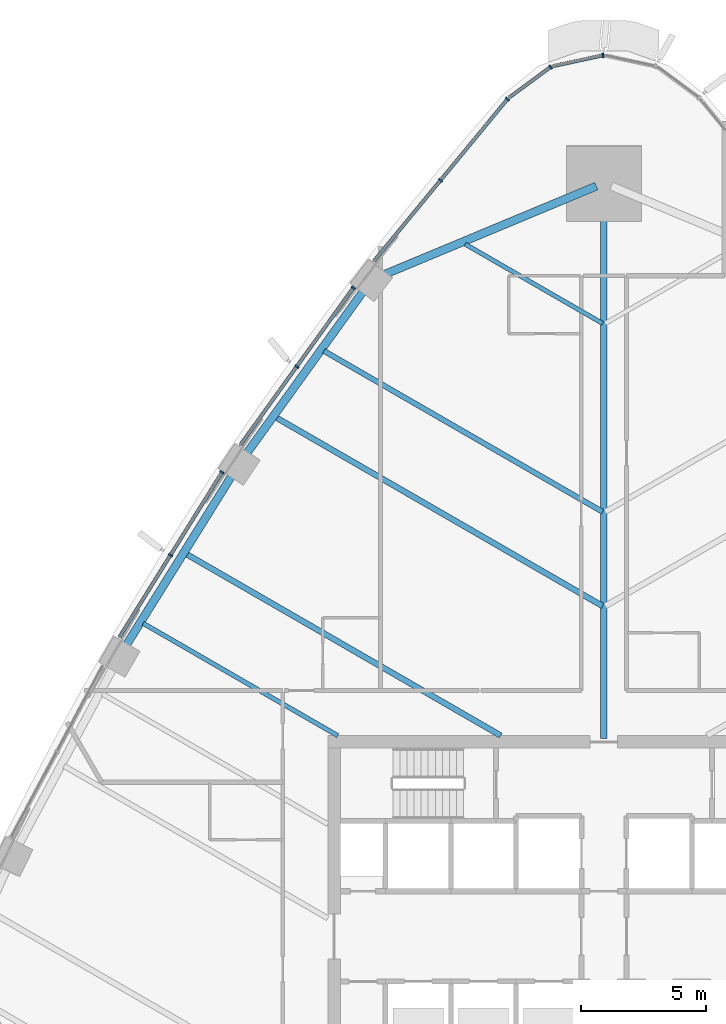
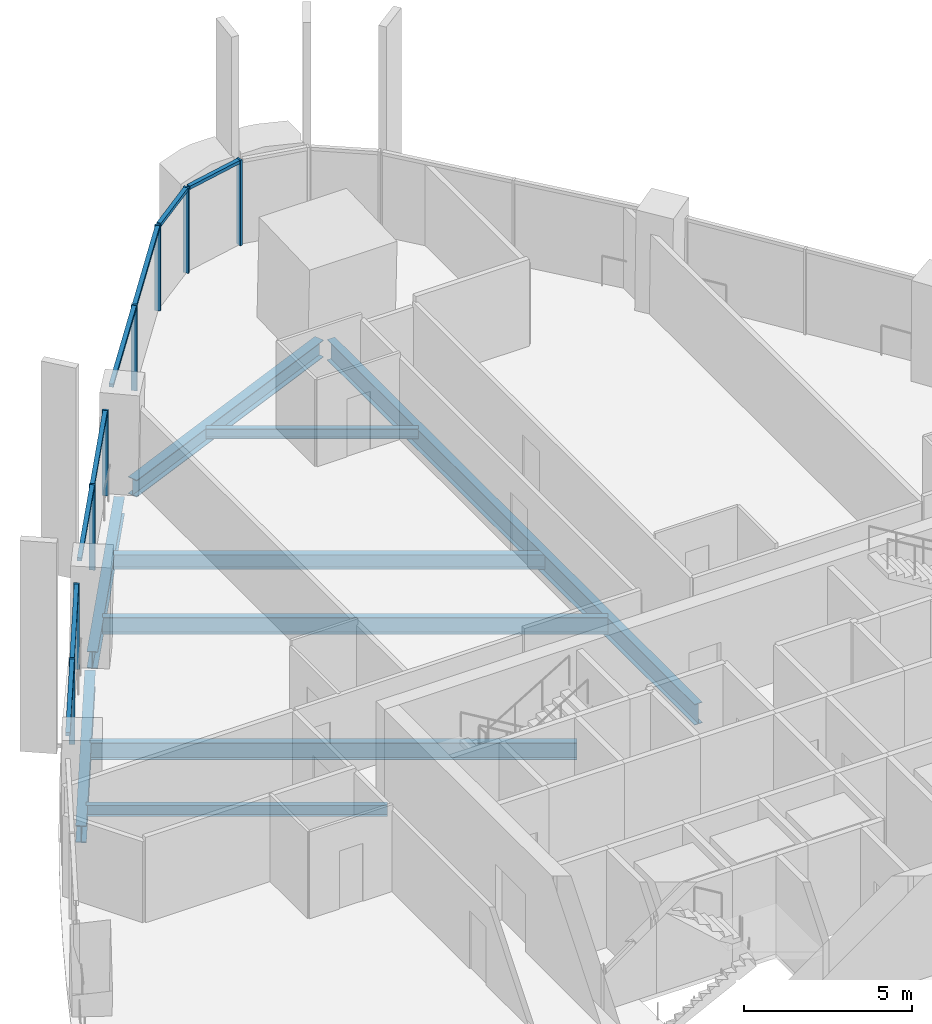
# One storey, part 6 of 25: 16 members, 9 beams, 5 elements without a shape of their own.
"""IFC4 building model written with IfcOpenShell, lengths in metres."""

import ifcopenshell
import ifcopenshell.guid

model = None  # the IFC model being written
_history = None  # IfcOwnerHistory: only IFC2X3 demands one
_inside = {}  # id of a spatial element -> (the spatial element, [elements in it])
_under = {}  # id of a project, library or spatial element -> (it, [spatial elements below it])
_declared = {}  # id of a project -> (the project, [libraries it declares])
_typed = {}  # id of a type object -> (the type object, [elements of that type])
_made_of = {}  # id of a material, layer set ... -> (it, [elements and type objects made of it])


def new_model(schema):
    """Start an empty IFC model of exactly this schema.

    Asked for "IFC4X3", IfcOpenShell would pick the latest addendum, in which some entities
    have other attributes; the version numbers below select the first issue.
    IFC2X3 requires an IfcOwnerHistory on every rooted entity: one is made here for all.
    """
    global model, _history
    if schema == "IFC4X3":
        model = ifcopenshell.file(schema_version=(4, 3, 0, 0))
    else:
        model = ifcopenshell.file(schema=schema)
    _inside.clear()
    _under.clear()
    _declared.clear()
    _typed.clear()
    _made_of.clear()
    _history = None
    if model.schema == "IFC2X3":
        org = make("IfcOrganization", Name="unknown")
        user = make(
            "IfcPersonAndOrganization",
            ThePerson=make("IfcPerson", FamilyName="unknown"),
            TheOrganization=org,
        )
        app = make(
            "IfcApplication",
            ApplicationDeveloper=org,
            Version="unknown",
            ApplicationFullName="unknown",
            ApplicationIdentifier="unknown",
        )
        _history = make(
            "IfcOwnerHistory",
            OwningUser=user,
            OwningApplication=app,
            ChangeAction="ADDED",
            CreationDate=0,
        )
    return model


def make(cls, **values):
    """One entity of the class cls with the attributes given. An attribute that is None is left unset."""
    return model.create_entity(
        cls, **{name: value for name, value in values.items() if value is not None}
    )


def rooted(cls, **values):
    """An entity with a GlobalId (a new one), such as an element, a storey or a relation."""
    return make(cls, GlobalId=ifcopenshell.guid.new(), OwnerHistory=_history, **values)


def si_unit(unit_type, name, prefix=None):
    """IfcSIUnit, for example si_unit("LENGTHUNIT", "METRE", prefix="MILLI")."""
    return make("IfcSIUnit", UnitType=unit_type, Prefix=prefix, Name=name)


def assignment(units):
    """IfcUnitAssignment: the units of a project."""
    return None if units is None else make("IfcUnitAssignment", Units=units)


def point(xyz):
    """IfcCartesianPoint."""
    return None if xyz is None else make("IfcCartesianPoint", Coordinates=xyz)


def direction(xyz):
    """IfcDirection."""
    return None if xyz is None else make("IfcDirection", DirectionRatios=xyz)


def frame(location, z_axis=None, x_axis=None):
    """IfcAxis2Placement3D, a coordinate frame: its origin and axes. An axis left out is left unset."""
    return make(
        "IfcAxis2Placement3D",
        Location=point(location),
        Axis=direction(z_axis),
        RefDirection=direction(x_axis),
    )


def frame_2d(location, x_axis=None):
    """IfcAxis2Placement2D, a coordinate frame in the plane: its origin and x axis."""
    return make(
        "IfcAxis2Placement2D", Location=point(location), RefDirection=direction(x_axis)
    )


def origin():
    """The frame at (0, 0, 0) with its axes left unset."""
    return frame((0.0, 0.0, 0.0))


def origin_2d():
    """The frame at (0, 0) in the plane with its x axis left unset."""
    return frame_2d((0.0, 0.0))


def place(relative_to, where):
    """IfcLocalPlacement: puts the frame where relative to a parent placement (None: the world)."""
    return make(
        "IfcLocalPlacement", PlacementRelTo=relative_to, RelativePlacement=where
    )


def context(
    kind, dimensions, precision=None, world=None, true_north=None, identifier=None
):
    """IfcGeometricRepresentationContext, for example the 3D "Model" context."""
    return make(
        "IfcGeometricRepresentationContext",
        ContextIdentifier=identifier,
        ContextType=kind,
        CoordinateSpaceDimension=dimensions,
        Precision=precision,
        WorldCoordinateSystem=world,
        TrueNorth=true_north,
    )


def subcontext(parent, identifier, kind, view, scale=None):
    """IfcGeometricRepresentationSubContext, for example "Body" below "Model"."""
    return make(
        "IfcGeometricRepresentationSubContext",
        ContextIdentifier=identifier,
        ContextType=kind,
        ParentContext=parent,
        TargetScale=scale,
        TargetView=view,
    )


def project(units=None, contexts=None):
    """IfcProject with its units and contexts."""
    return rooted(
        "IfcProject",
        Name="project",
        RepresentationContexts=contexts,
        UnitsInContext=assignment(units),
    )


def spatial(cls, under=None, at=None, **own):
    """A site, building, storey or space (cls), placed at a placement, below another one or the project."""
    s = rooted(cls, ObjectPlacement=at, **own)
    if under is not None:
        _under.setdefault(under.id(), (under, []))[1].append(s)
    return s


def profile(cls, at=None, kind="AREA", **sizes):
    """A parametric profile (cls). Its sizes go by their IFC names, for example OverallWidth=200.0."""
    return make(cls, ProfileType=kind, Position=at, **sizes)


def rectangle(**sizes):
    """IfcRectangleProfileDef."""
    return profile("IfcRectangleProfileDef", **sizes)


def i_section(**sizes):
    """IfcIShapeProfileDef."""
    return profile("IfcIShapeProfileDef", **sizes)


def extrude(swept, where, along, depth):
    """IfcExtrudedAreaSolid: the profile swept, set in the frame where, extruded along a direction by depth."""
    return make(
        "IfcExtrudedAreaSolid",
        SweptArea=swept,
        Position=where,
        ExtrudedDirection=direction(along),
        Depth=depth,
    )


def shape(context_of_items, identifier, shape_type, items):
    """IfcShapeRepresentation: the items that make up one representation, for example the "Body"."""
    return make(
        "IfcShapeRepresentation",
        ContextOfItems=context_of_items,
        RepresentationIdentifier=identifier,
        RepresentationType=shape_type,
        Items=items,
    )


def material(Name=None, Category=None):
    """IfcMaterial."""
    return make("IfcMaterial", Name=Name, Category=Category)


def layer(
    of_material, thickness, ventilated=None, Name=None, Category=None, Priority=None
):
    """IfcMaterialLayer: one layer of a wall or slab, of a material (None: an air gap)."""
    return make(
        "IfcMaterialLayer",
        Material=of_material,
        LayerThickness=thickness,
        IsVentilated=ventilated,
        Name=Name,
        Category=Category,
        Priority=Priority,
    )


def layer_set(layers, Name=None):
    """IfcMaterialLayerSet."""
    return make("IfcMaterialLayerSet", MaterialLayers=layers, LayerSetName=Name)


def material_profile(
    of_material, cross_section, Name=None, Category=None, Priority=None
):
    """IfcMaterialProfile: a cross section and its material."""
    return make(
        "IfcMaterialProfile",
        Name=Name,
        Material=of_material,
        Profile=cross_section,
        Priority=Priority,
        Category=Category,
    )


def profile_set(profiles, Name=None, composite=None):
    """IfcMaterialProfileSet."""
    return make(
        "IfcMaterialProfileSet",
        Name=Name,
        MaterialProfiles=profiles,
        CompositeProfile=composite,
    )


def made_of(thing, what):
    """Note that an element or type object is made of a material, layer set ...; save() writes the relation."""
    if what is not None:
        _made_of.setdefault(what.id(), (what, []))[1].append(thing)
    return thing


def type_object(cls, material=None, **own):
    """A type object (cls), such as IfcWallType, which elements share."""
    return made_of(rooted(cls, **own), material)


def element(
    cls,
    number,
    at=None,
    inside=None,
    cuts=None,
    type_object=None,
    material=None,
    context=None,
    identifier="Body",
    shape_type=None,
    held_by="IfcProductDefinitionShape",
    body=None,
    shapes=None,
    **own,
):
    """One element of the class cls, such as IfcWall. Its Tag is "e" and its number.

    at: its placement. inside: the storey or other place that contains it. cuts: it is an
    opening in that element (IfcRelVoidsElement). A single representation is given by context,
    identifier, shape_type and body (its items); several are given by shapes. held_by: the class
    of the entity that holds the representations. save() writes the other relations.
    """
    e = rooted(cls, Tag="e%d" % number, ObjectPlacement=at, **own)
    if body is not None:
        shapes = [shape(context, identifier, shape_type, body)]
    if shapes is not None:
        e.Representation = make(held_by, Representations=shapes)
    if inside is not None:
        _inside.setdefault(inside.id(), (inside, []))[1].append(e)
    if cuts is not None:
        rooted(
            "IfcRelVoidsElement", RelatingBuildingElement=cuts, RelatedOpeningElement=e
        )
    if type_object is not None:
        _typed.setdefault(type_object.id(), (type_object, []))[1].append(e)
    return made_of(e, material)


def aggregate(whole, parts):
    """IfcRelAggregates: a whole, such as a stair, and the parts it consists of."""
    return rooted("IfcRelAggregates", RelatingObject=whole, RelatedObjects=parts)


def save(model, path):
    """Write the relations noted so far, then the file.

    IfcRelAggregates (storeys below a building ...), IfcRelContainedInSpatialStructure (elements
    in a storey), IfcRelDefinesByType, IfcRelAssociatesMaterial and IfcRelDeclares: one each for
    every whole, place, type object, material and project.
    """
    for whole, parts in _under.values():
        aggregate(whole, parts)
    for where, things in _inside.values():
        rooted(
            "IfcRelContainedInSpatialStructure",
            RelatedElements=things,
            RelatingStructure=where,
        )
    for kind, things in _typed.values():
        rooted("IfcRelDefinesByType", RelatedObjects=things, RelatingType=kind)
    for what, things in _made_of.values():
        rooted("IfcRelAssociatesMaterial", RelatedObjects=things, RelatingMaterial=what)
    for by, libraries in _declared.values():
        rooted("IfcRelDeclares", RelatingContext=by, RelatedDefinitions=libraries)
    model.write(path)


model = new_model("IFC4")

# Units and contexts
model_context = context("Model", 3, precision=1e-05, world=origin(), true_north=direction((0.0, 1.0)))
body_context = subcontext(model_context, "Body", "Model", "MODEL_VIEW")
ifc_project = project(units=[si_unit("LENGTHUNIT", "METRE"), si_unit("AREAUNIT", "SQUARE_METRE"), si_unit("VOLUMEUNIT", "CUBIC_METRE"), si_unit("PLANEANGLEUNIT", "RADIAN"), si_unit("MASSUNIT", "GRAM", prefix="KILO")], contexts=[model_context])

# Site, building, storey
site_placement = place(None, origin())
site = spatial("IfcSite", under=ifc_project, at=site_placement, CompositionType="ELEMENT")
building_placement = place(site_placement, origin())
building = spatial("IfcBuilding", under=site, at=building_placement, Name="Sierra Prisma Convention Tower", CompositionType="ELEMENT")
storey_placement = place(building_placement, frame((0.0, 0.0, 88.699951171875)))
storey = spatial("IfcBuildingStorey", under=building, at=storey_placement, Name="L18", CompositionType="ELEMENT", Elevation=88.699951171875)

# Curtain wall, member
ifc_material_1 = material(Name="Aluminium and glass curtain wall", Category="aluminium")
ifc_layer = layer(ifc_material_1, 0.179931640625)
ifc_layer_set = layer_set([ifc_layer], Name="CW-1 Plain shaft curtain wall")
curtain_wall_type = type_object("IfcCurtainWallType", Name="CW-1 Plain shaft curtain wall", PredefinedType="NOTDEFINED", material=ifc_layer_set)
curtain_wall_1_placement = place(storey_placement, origin())
curtain_wall_1 = element("IfcCurtainWall", 1, at=curtain_wall_1_placement, inside=storey, type_object=curtain_wall_type, Name="CW-1 N3 L18", PredefinedType="NOTDEFINED")
ifc_material_2 = material(Name="Aluminium 6063-T6 bronze anodised", Category="aluminium")
ifc_material_profile_1 = material_profile(ifc_material_2, rectangle(XDim=0.179931640625, YDim=0.070068359375, at=origin_2d()), Name="ALU MULLION 70x180")
ifc_profile_set_1 = profile_set([ifc_material_profile_1], Name="Aluminium 6063-T6 bronze anodised")
member_type_1 = type_object("IfcMemberType", Name="CW mullion bronze", PredefinedType="MULLION", material=ifc_profile_set_1)
member_1_placement = place(storey_placement, frame((-0.0341796875, 35.105224609375, 0.0), z_axis=(0.0, 0.0, 1.0), x_axis=(0.210400922005, -0.977615186062, 0.0)))
member_1 = element("IfcMember", 2, at=member_1_placement, type_object=member_type_1, Name="CW-1 mullion N3.1", PredefinedType="MULLION", context=body_context, shape_type="SweptSolid", body=[
    extrude(rectangle(XDim=0.179931640625, YDim=0.070068359375, at=origin_2d()), origin(), (0.0, 0.0, 1.0), 3.10009765625),
])

curtain_wall_2_placement = place(storey_placement, origin())
curtain_wall_2 = element("IfcCurtainWall", 3, at=curtain_wall_2_placement, inside=storey, type_object=curtain_wall_type, Name="CW-1 N4 L18", PredefinedType="NOTDEFINED")
member_2_placement = place(storey_placement, frame((-2.123291015625, 34.640869140625, 0.0), z_axis=(0.0, 0.0, 1.0), x_axis=(0.593946192772, -0.804504766979, 0.0)))
member_2 = element("IfcMember", 4, at=member_2_placement, type_object=member_type_1, Name="CW-1 mullion N4.1", PredefinedType="MULLION", context=body_context, shape_type="SweptSolid", body=[
    extrude(rectangle(XDim=0.179931640625, YDim=0.070068359375, at=origin_2d()), origin(), (0.0, 0.0, 1.0), 3.10009765625),
])

# Curtain wall, members
curtain_wall_3_placement = place(storey_placement, origin())
curtain_wall_3 = element("IfcCurtainWall", 5, at=curtain_wall_3_placement, inside=storey, type_object=curtain_wall_type, Name="CW-1 NW1 L18", PredefinedType="NOTDEFINED")
member_3_placement = place(storey_placement, frame((-3.841552734375, 33.36181640625, 0.0), z_axis=(0.0, 0.0, 1.0), x_axis=(0.771470925985, -0.636264575754, 0.0)))
member_3 = element("IfcMember", 6, at=member_3_placement, type_object=member_type_1, Name="CW-1 mullion NW1.1", PredefinedType="MULLION", context=body_context, shape_type="SweptSolid", body=[
    extrude(rectangle(XDim=0.179931640625, YDim=0.070068359375, at=origin_2d()), origin(), (0.0, 0.0, 1.0), 3.10009765625),
])
member_4_placement = place(storey_placement, frame((-6.5107421875, 30.12548828125, 0.0), z_axis=(0.0, 0.0, 1.0), x_axis=(0.771470925985, -0.636264575754, 0.0)))
member_4 = element("IfcMember", 7, at=member_4_placement, type_object=member_type_1, Name="CW-1 mullion NW1.2", PredefinedType="MULLION", context=body_context, shape_type="SweptSolid", body=[
    extrude(rectangle(XDim=0.179931640625, YDim=0.070068359375, at=origin_2d()), origin(), (0.0, 0.0, 1.0), 3.10009765625),
])

curtain_wall_4_placement = place(storey_placement, origin())
curtain_wall_4 = element("IfcCurtainWall", 8, at=curtain_wall_4_placement, inside=storey, type_object=curtain_wall_type, Name="CW-1 NW2 L18", PredefinedType="NOTDEFINED")
member_5_placement = place(storey_placement, frame((-9.98095703125, 25.8466796875, 0.0), z_axis=(0.0, 0.0, 1.0), x_axis=(0.811998951128, -0.583658892991, 0.0)))
member_5 = element("IfcMember", 9, at=member_5_placement, type_object=member_type_1, Name="CW-1 mullion NW2.1", PredefinedType="MULLION", context=body_context, shape_type="SweptSolid", body=[
    extrude(rectangle(XDim=0.179931640625, YDim=0.070068359375, at=origin_2d()), origin(), (0.0, 0.0, 1.0), 3.10009765625),
])
member_6_placement = place(storey_placement, frame((-12.2412109375, 22.702392578125, 0.0), z_axis=(0.0, 0.0, 1.0), x_axis=(0.811998951128, -0.583658892991, 0.0)))
member_6 = element("IfcMember", 10, at=member_6_placement, type_object=member_type_1, Name="CW-1 mullion NW2.2", PredefinedType="MULLION", context=body_context, shape_type="SweptSolid", body=[
    extrude(rectangle(XDim=0.179931640625, YDim=0.070068359375, at=origin_2d()), origin(), (0.0, 0.0, 1.0), 3.10009765625),
])

curtain_wall_5_placement = place(storey_placement, origin())
curtain_wall_5 = element("IfcCurtainWall", 11, at=curtain_wall_5_placement, inside=storey, type_object=curtain_wall_type, Name="CW-1 NW3 L18", PredefinedType="NOTDEFINED")
member_7_placement = place(storey_placement, frame((-15.21435546875, 18.4921875, 0.0), z_axis=(0.0, 0.0, 1.0), x_axis=(0.848946159407, -0.528479345319, 0.0)))
member_7 = element("IfcMember", 12, at=member_7_placement, type_object=member_type_1, Name="CW-1 mullion NW3.1", PredefinedType="MULLION", context=body_context, shape_type="SweptSolid", body=[
    extrude(rectangle(XDim=0.179931640625, YDim=0.070068359375, at=origin_2d()), origin(), (0.0, 0.0, 1.0), 3.10009765625),
])
member_8_placement = place(storey_placement, frame((-17.269287109375, 15.19091796875, 0.0), z_axis=(0.0, 0.0, 1.0), x_axis=(0.848946159407, -0.528479345319, 0.0)))
member_8 = element("IfcMember", 13, at=member_8_placement, type_object=member_type_1, Name="CW-1 mullion NW3.2", PredefinedType="MULLION", context=body_context, shape_type="SweptSolid", body=[
    extrude(rectangle(XDim=0.179931640625, YDim=0.070068359375, at=origin_2d()), origin(), (0.0, 0.0, 1.0), 3.10009765625),
])

# Member
ifc_material_3 = material(Name="Aluminium 6063-T6 bronze anodised", Category="aluminium")
ifc_material_profile_2 = material_profile(ifc_material_3, rectangle(XDim=0.139892578125, YDim=0.1201171875, at=origin_2d()), Name="ALU TRANSOM 120x140")
ifc_profile_set_2 = profile_set([ifc_material_profile_2], Name="Aluminium 6063-T6 bronze anodised")
member_type_2 = type_object("IfcMemberType", Name="CW transom bronze", PredefinedType="USERDEFINED", material=ifc_profile_set_2)
member_9_placement = place(storey_placement, frame((-0.068359375, 35.097900390625, 3.0400390625), z_axis=(-0.977596830994, -0.210486189643, 0.0), x_axis=(0.210486189643, -0.977596830994, 0.0)))
member_9 = element("IfcMember", 14, at=member_9_placement, type_object=member_type_2, Name="CW-1 transom N3.1", ObjectType="TRANSOM", PredefinedType="USERDEFINED", context=body_context, shape_type="SweptSolid", body=[
    extrude(rectangle(XDim=0.139892578125, YDim=0.1201171875, at=origin_2d()), origin(), (0.0, 0.0, 1.0), 2.003173828125),
])

aggregate(curtain_wall_1, [member_1, member_9])

member_10_placement = place(storey_placement, frame((-2.1513671875, 34.6201171875, 3.0400390625), z_axis=(-0.804525548794, -0.59391804261, 0.0), x_axis=(0.59391804261, -0.804525548794, 0.0)))
member_10 = element("IfcMember", 15, at=member_10_placement, type_object=member_type_2, Name="CW-1 transom N4.1", ObjectType="TRANSOM", PredefinedType="USERDEFINED", context=body_context, shape_type="SweptSolid", body=[
    extrude(rectangle(XDim=0.139892578125, YDim=0.1201171875, at=origin_2d()), origin(), (0.0, 0.0, 1.0), 2.003173828125),
])

aggregate(curtain_wall_2, [member_2, member_10])

member_11_placement = place(storey_placement, frame((-3.86376953125, 33.334716796875, 3.0400390625), z_axis=(-0.636281705708, -0.771456797871, 0.0), x_axis=(0.771456797871, -0.636281705708, 0.0)))
member_11 = element("IfcMember", 16, at=member_11_placement, type_object=member_type_2, Name="CW-1 transom NW1.1", ObjectType="TRANSOM", PredefinedType="USERDEFINED", context=body_context, shape_type="SweptSolid", body=[
    extrude(rectangle(XDim=0.139892578125, YDim=0.1201171875, at=origin_2d()), origin(), (0.0, 0.0, 1.0), 4.125244140625),
])

member_12_placement = place(storey_placement, frame((-6.532958984375, 30.098388671875, 3.0400390625), z_axis=(-0.636246480925, -0.771485849196, 0.0), x_axis=(0.771485849196, -0.636246480925, 0.0)))
member_12 = element("IfcMember", 17, at=member_12_placement, type_object=member_type_2, Name="CW-1 transom NW1.2", ObjectType="TRANSOM", PredefinedType="USERDEFINED", context=body_context, shape_type="SweptSolid", body=[
    extrude(rectangle(XDim=0.139892578125, YDim=0.1201171875, at=origin_2d()), origin(), (0.0, 0.0, 1.0), 4.125),
])

aggregate(curtain_wall_3, [member_3, member_4, member_11, member_12])

member_13_placement = place(storey_placement, frame((-10.00146484375, 25.818359375, 3.0400390625), z_axis=(-0.583634725164, -0.812016322239, 0.0), x_axis=(0.812016322239, -0.583634725164, 0.0)))
member_13 = element("IfcMember", 18, at=member_13_placement, type_object=member_type_2, Name="CW-1 transom NW2.1", ObjectType="TRANSOM", PredefinedType="USERDEFINED", context=body_context, shape_type="SweptSolid", body=[
    extrude(rectangle(XDim=0.139892578125, YDim=0.1201171875, at=origin_2d()), origin(), (0.0, 0.0, 1.0), 3.802490234375),
])

member_14_placement = place(storey_placement, frame((-12.261474609375, 22.673828125, 3.0400390625), z_axis=(-0.58370748827, -0.811964018992, 0.0), x_axis=(0.811964018992, -0.58370748827, 0.0)))
member_14 = element("IfcMember", 19, at=member_14_placement, type_object=member_type_2, Name="CW-1 transom NW2.2", ObjectType="TRANSOM", PredefinedType="USERDEFINED", context=body_context, shape_type="SweptSolid", body=[
    extrude(rectangle(XDim=0.139892578125, YDim=0.1201171875, at=origin_2d()), origin(), (0.0, 0.0, 1.0), 3.802490234375),
])

aggregate(curtain_wall_4, [member_5, member_6, member_13, member_14])

member_15_placement = place(storey_placement, frame((-15.23291015625, 18.46240234375, 3.0400390625), z_axis=(-0.528492383175, -0.848938043043, 0.0), x_axis=(0.848938043043, -0.528492383175, 0.0)))
member_15 = element("IfcMember", 20, at=member_15_placement, type_object=member_type_2, Name="CW-1 transom NW3.1", ObjectType="TRANSOM", PredefinedType="USERDEFINED", context=body_context, shape_type="SweptSolid", body=[
    extrude(rectangle(XDim=0.139892578125, YDim=0.1201171875, at=origin_2d()), origin(), (0.0, 0.0, 1.0), 3.818603515625),
])

member_16_placement = place(storey_placement, frame((-17.287841796875, 15.161376953125, 3.0400390625), z_axis=(-0.528463699218, -0.848955899095, 0.0), x_axis=(0.848955899095, -0.528463699218, 0.0)))
member_16 = element("IfcMember", 21, at=member_16_placement, type_object=member_type_2, Name="CW-1 transom NW3.2", ObjectType="TRANSOM", PredefinedType="USERDEFINED", context=body_context, shape_type="SweptSolid", body=[
    extrude(rectangle(XDim=0.139892578125, YDim=0.1201171875, at=origin_2d()), origin(), (0.0, 0.0, 1.0), 3.81884765625),
])

aggregate(curtain_wall_5, [member_7, member_8, member_15, member_16])

# Beams
ifc_material_4 = material(Name="Steel ASTM A992 Gr 50", Category="steel")
ifc_material_profile_3 = material_profile(ifc_material_4, i_section(OverallWidth=0.172119140625, OverallDepth=0.35791015625, WebThickness=0.0078125, FlangeThickness=0.01318359375, at=origin_2d()), Name="W360x57")
ifc_profile_set_3 = profile_set([ifc_material_profile_3], Name="Steel ASTM A992 Gr 50")
beam_type_1 = type_object("IfcBeamType", Name="Floor joist W360x57", PredefinedType="JOIST", material=ifc_profile_set_3)
beam_1_placement = place(storey_placement, frame((-5.526611328125, 27.581787109375, -0.328857421875), z_axis=(0.866028632512, -0.499994407638, 0.0), x_axis=(0.499994407638, 0.866028632512, 0.0)))
element("IfcBeam", 22, at=beam_1_placement, inside=storey, type_object=beam_type_1, Name="Floor joist L18 NW02", PredefinedType="JOIST", context=body_context, shape_type="SweptSolid", body=[
    extrude(i_section(OverallWidth=0.172119140625, OverallDepth=0.35791015625, WebThickness=0.0078125, FlangeThickness=0.01318359375, at=origin_2d()), origin(), (0.0, 0.0, 1.0), 6.3203125),
])
ifc_material_5 = material(Name="Steel ASTM A992 Gr 50", Category="steel")
ifc_material_profile_4 = material_profile(ifc_material_5, i_section(OverallWidth=0.177978515625, OverallDepth=0.406982421875, WebThickness=0.0078125, FlangeThickness=0.0126953125, at=origin_2d()), Name="W410x60")
ifc_profile_set_4 = profile_set([ifc_material_profile_4], Name="Steel ASTM A992 Gr 50")
beam_type_2 = type_object("IfcBeamType", Name="Floor joist W410x60", PredefinedType="JOIST", material=ifc_profile_set_4)
beam_2_placement = place(storey_placement, frame((-18.35693359375, 12.474609375, -0.353515625), z_axis=(0.866025218268, -0.500000321324, 0.0), x_axis=(0.500000321324, 0.866025218268, 0.0)))
element("IfcBeam", 23, at=beam_2_placement, inside=storey, type_object=beam_type_2, Name="Floor joist L18 NW08", PredefinedType="JOIST", context=body_context, shape_type="SweptSolid", body=[
    extrude(i_section(OverallWidth=0.177978515625, OverallDepth=0.406982421875, WebThickness=0.0078125, FlangeThickness=0.0126953125, at=origin_2d()), origin(), (0.0, 0.0, 1.0), 8.94921875),
])
ifc_material_6 = material(Name="Steel ASTM A992 Gr 50", Category="steel")
ifc_material_profile_5 = material_profile(ifc_material_6, i_section(OverallWidth=0.208984375, OverallDepth=0.532958984375, WebThickness=0.01025390625, FlangeThickness=0.015625, at=origin_2d()), Name="W530x92")
ifc_profile_set_5 = profile_set([ifc_material_profile_5], Name="Steel ASTM A992 Gr 50")
beam_type_3 = type_object("IfcBeamType", Name="Floor joist W530x92", PredefinedType="JOIST", material=ifc_profile_set_5)
beam_3_placement = place(storey_placement, frame((-11.159423828125, 23.3291015625, -0.41650390625), z_axis=(0.866023907196, -0.500002592159, 0.0), x_axis=(0.500002592159, 0.866023907196, 0.0)))
element("IfcBeam", 24, at=beam_3_placement, inside=storey, type_object=beam_type_3, Name="Floor joist L18 NW04", PredefinedType="JOIST", context=body_context, shape_type="SweptSolid", body=[
    extrude(i_section(OverallWidth=0.208984375, OverallDepth=0.532958984375, WebThickness=0.01025390625, FlangeThickness=0.015625, at=origin_2d()), origin(), (0.0, 0.0, 1.0), 12.82470703125),
])
ifc_material_7 = material(Name="Steel ASTM A992 Gr 50", Category="steel")
ifc_material_profile_6 = material_profile(ifc_material_7, i_section(OverallWidth=0.22802734375, OverallDepth=0.60302734375, WebThickness=0.010498046875, FlangeThickness=0.014892578125, at=origin_2d()), Name="W610x101")
ifc_profile_set_6 = profile_set([ifc_material_profile_6], Name="Steel ASTM A992 Gr 50")
beam_type_4 = type_object("IfcBeamType", Name="Floor joist W610x101", PredefinedType="JOIST", material=ifc_profile_set_6)
beam_4_placement = place(storey_placement, frame((-13.065673828125, 20.677001953125, -0.451416015625), z_axis=(0.866030816627, -0.499990624564, 0.0), x_axis=(0.499990624564, 0.866030816627, 0.0)))
element("IfcBeam", 25, at=beam_4_placement, inside=storey, type_object=beam_type_4, Name="Floor joist L18 NW05", PredefinedType="JOIST", context=body_context, shape_type="SweptSolid", body=[
    extrude(i_section(OverallWidth=0.22802734375, OverallDepth=0.60302734375, WebThickness=0.010498046875, FlangeThickness=0.014892578125, at=origin_2d()), origin(), (0.0, 0.0, 1.0), 15.025634765625),
])
beam_5_placement = place(storey_placement, frame((-16.638427734375, 15.23486328125, -0.451416015625), z_axis=(0.866027117883, -0.499997031082, 0.0), x_axis=(0.499997031082, 0.866027117883, 0.0)))
element("IfcBeam", 26, at=beam_5_placement, inside=storey, type_object=beam_type_4, Name="Floor joist L18 NW07", PredefinedType="JOIST", context=body_context, shape_type="SweptSolid", body=[
    extrude(i_section(OverallWidth=0.22802734375, OverallDepth=0.60302734375, WebThickness=0.010498046875, FlangeThickness=0.014892578125, at=origin_2d()), origin(), (0.0, 0.0, 1.0), 14.4697265625),
])
ifc_material_8 = material(Name="Steel ASTM A992 Gr 50", Category="steel")
ifc_material_profile_7 = material_profile(ifc_material_8, i_section(OverallWidth=0.264892578125, OverallDepth=0.7529296875, WebThickness=0.01318359375, FlangeThickness=0.01708984375, at=origin_2d()), Name="W760x147")
ifc_profile_set_7 = profile_set([ifc_material_profile_7], Name="Steel ASTM A992 Gr 50")
beam_type_5 = type_object("IfcBeamType", Name="Radial girder W760x147", PredefinedType="BEAM", material=ifc_profile_set_7)
beam_6_placement = place(storey_placement, frame((0.0, 29.7197265625, -0.5263671875), z_axis=(0.0, -1.0, 0.0), x_axis=(1.0, 0.0, 0.0)))
element("IfcBeam", 27, at=beam_6_placement, inside=storey, type_object=beam_type_5, Name="Radial girder L18 N", PredefinedType="BEAM", context=body_context, shape_type="SweptSolid", body=[
    extrude(i_section(OverallWidth=0.264892578125, OverallDepth=0.7529296875, WebThickness=0.01318359375, FlangeThickness=0.01708984375, at=origin_2d()), origin(), (0.0, 0.0, 1.0), 21.83984375),
])
ifc_material_9 = material(Name="Steel ASTM A992 Gr 50", Category="steel")
ifc_material_profile_8 = material_profile(ifc_material_9, i_section(OverallWidth=0.324951171875, OverallDepth=0.615966796875, WebThickness=0.013916015625, FlangeThickness=0.021484375, at=origin_2d()), Name="W610x174")
ifc_profile_set_8 = profile_set([ifc_material_profile_8], Name="Steel ASTM A992 Gr 50")
beam_type_6 = type_object("IfcBeamType", Name="Spandrel beam W610x174", PredefinedType="BEAM", material=ifc_profile_set_8)
beam_7_placement = place(storey_placement, frame((-0.300048828125, 29.89453125, -0.4580078125), z_axis=(-0.922955234427, -0.38490730734, 0.0), x_axis=(0.38490730734, -0.922955234427, 0.0)))
element("IfcBeam", 28, at=beam_7_placement, inside=storey, type_object=beam_type_6, Name="Spandrel L18-13", PredefinedType="BEAM", context=body_context, shape_type="SweptSolid", body=[
    extrude(i_section(OverallWidth=0.324951171875, OverallDepth=0.615966796875, WebThickness=0.013916015625, FlangeThickness=0.021484375, at=origin_2d()), origin(), (0.0, 0.0, 1.0), 9.14453125),
])
for number, where, z_axis, x_axis, name in (
    (29, (-9.54736328125, 25.764892578125, -0.4580078125), (-0.583647264837, -0.812007309233, 0.0), (0.812007309233, -0.583647264837, 0.0), "Spandrel L18-14"),
    (30, (-14.79345703125, 18.411865234375, -0.4580078125), (-0.528489369395, -0.848939919215, 0.0), (0.848939919215, -0.528489369395, 0.0), "Spandrel L18-15"),
):
    element("IfcBeam", number, at=place(storey_placement, frame(where, z_axis=z_axis, x_axis=x_axis)), inside=storey, type_object=beam_type_6, Name=name, PredefinedType="BEAM", context=body_context, shape_type="SweptSolid", body=[
        extrude(i_section(OverallWidth=0.324951171875, OverallDepth=0.615966796875, WebThickness=0.013916015625, FlangeThickness=0.021484375, at=origin_2d()), origin(), (0.0, 0.0, 1.0), 8.07275390625),
    ])

save(model, "model.ifc")
